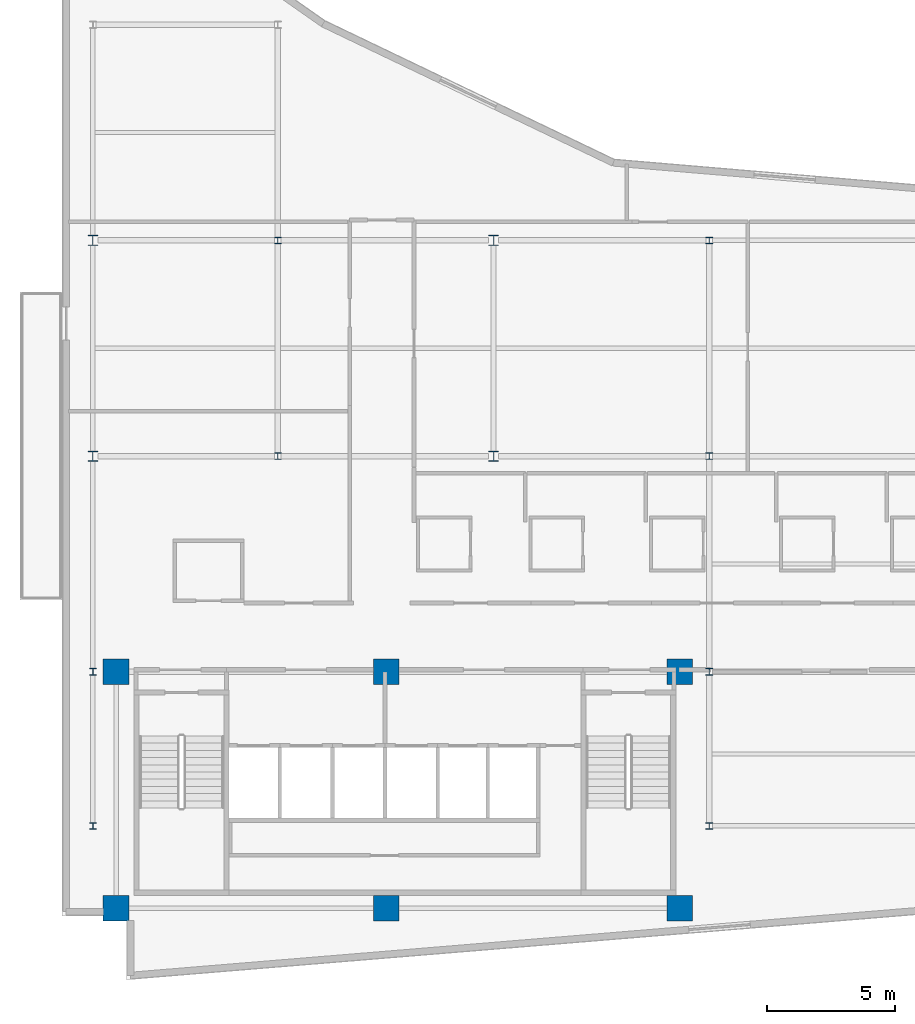
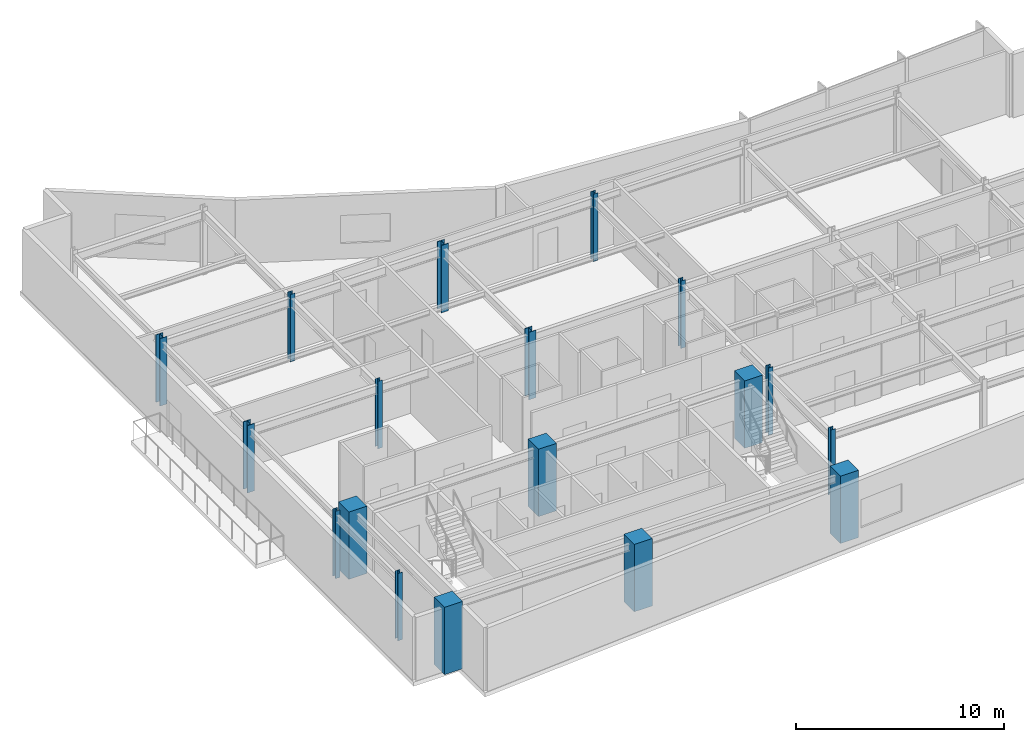
# One storey, part 1 of 17: 18 columns.
"""IFC4 building model written with IfcOpenShell, lengths in metres."""

from ifc_helpers import new_model, si_unit, direction, frame, origin, origin_2d, place, context, subcontext, project, spatial, rectangle, i_section, extrude, material, material_profile, profile_set, type_object, element, save


model = new_model("IFC4")

# Units and contexts
model_context = context("Model", 3, precision=1e-05, world=origin(), true_north=direction((0.0, 1.0)))
body_context = subcontext(model_context, "Body", "Model", "MODEL_VIEW")
ifc_project = project(units=[si_unit("LENGTHUNIT", "METRE"), si_unit("AREAUNIT", "SQUARE_METRE"), si_unit("VOLUMEUNIT", "CUBIC_METRE"), si_unit("PLANEANGLEUNIT", "RADIAN"), si_unit("MASSUNIT", "GRAM", prefix="KILO")], contexts=[model_context])

# Site, building, storey
site_placement = place(None, origin())
site = spatial("IfcSite", under=ifc_project, at=site_placement, CompositionType="ELEMENT")
building_placement = place(site_placement, origin())
building = spatial("IfcBuilding", under=site, at=building_placement, Name="Varnakote Quay Hospital", CompositionType="ELEMENT")
storey_placement = place(building_placement, frame((0.0, 0.0, 227.64990234375)))
storey = spatial("IfcBuildingStorey", under=building, at=storey_placement, Name="L56", CompositionType="ELEMENT", Elevation=227.64990234375)

# Columns
ifc_material_1 = material(Name="Concrete N65 (f'c 65 MPa)", Category="concrete")
ifc_material_profile_1 = material_profile(ifc_material_1, rectangle(XDim=1.0, YDim=1.0, at=origin_2d()), Name="RC-COL-1000x1000")
ifc_profile_set_1 = profile_set([ifc_material_profile_1], Name="Concrete N65 (f'c 65 MPa)")
column_type_1 = type_object("IfcColumnType", Name="COL-RC-1000", PredefinedType="COLUMN", material=ifc_profile_set_1)
for number, where, z_axis, x_axis, name in (
    (1, (2.10009765625, 2.800048828125, 0.0), (0.0, 0.0, 1.0), (1.0, 0.0, 0.0), "L56 Structural Column C-2-3"),
    (2, (12.6201171875, 2.800048828125, 0.0), (0.0, 0.0, 1.0), (1.0, 0.0, 0.0), "L56 Structural Column C-13-3"),
    (3, (24.050048828125, 2.800048828125, 0.0), (0.0, 0.0, 1.0), (1.0, 0.0, 0.0), "L56 Structural Column C-24-3"),
    (4, (2.10009765625, 12.0, 0.0), (0.0, 0.0, 1.0), (1.0, 0.0, 0.0), "L56 Structural Column C-2-12"),
    (5, (12.6201171875, 12.0, 0.0), (0.0, 0.0, 1.0), (1.0, 0.0, 0.0), "L56 Structural Column C-13-12"),
    (6, (24.050048828125, 12.0, 0.0), (0.0, 0.0, 1.0), (1.0, 0.0, 0.0), "L56 Structural Column C-24-12"),
):
    element("IfcColumn", number, at=place(storey_placement, frame(where, z_axis=z_axis, x_axis=x_axis)), inside=storey, type_object=column_type_1, Name=name, PredefinedType="COLUMN", context=body_context, shape_type="SweptSolid", body=[
        extrude(rectangle(XDim=1.0, YDim=1.0, at=origin_2d()), origin(), (0.0, 0.0, 1.0), 3.9501953125),
    ])
ifc_material_2 = material(Name="Structural steel AS/NZS 3679.1 Grade 350 L0 (fy 340 MPa)", Category="steel")
ifc_material_profile_2 = material_profile(ifc_material_2, i_section(OverallWidth=0.256103515625, OverallDepth=0.260009765625, WebThickness=0.010498046875, FlangeThickness=0.017333984375, FilletRadius=0.0126953125, at=origin_2d()), Name="250UC89.5")
ifc_profile_set_2 = profile_set([ifc_material_profile_2], Name="Structural steel AS/NZS 3679.1 Grade 350 L0 (fy 340 MPa)")
column_type_2 = type_object("IfcColumnType", Name="COL-STL-250UC89-5", PredefinedType="COLUMN", material=ifc_profile_set_2)
for number, where, z_axis, x_axis, name in (
    (7, (1.199951171875, 6.0, 0.0), (0.0, 0.0, 1.0), (1.0, 0.0, 0.0), "L56 Structural Column C-1-6"),
    (8, (25.199951171875, 6.0, 0.0), (0.0, 0.0, 1.0), (1.0, 0.0, 0.0), "L56 Structural Column C-25-6"),
    (9, (1.199951171875, 12.0, 0.0), (0.0, 0.0, 1.0), (1.0, 0.0, 0.0), "L56 Structural Column C-1-12"),
    (10, (25.199951171875, 12.0, 0.0), (0.0, 0.0, 1.0), (1.0, 0.0, 0.0), "L56 Structural Column C-25-12"),
    (11, (8.39990234375, 20.39990234375, 0.0), (0.0, 0.0, 1.0), (1.0, 0.0, 0.0), "L56 Structural Column C-8-20"),
    (12, (25.199951171875, 20.39990234375, 0.0), (0.0, 0.0, 1.0), (1.0, 0.0, 0.0), "L56 Structural Column C-25-20"),
    (13, (8.39990234375, 28.800048828125, 0.0), (0.0, 0.0, 1.0), (1.0, 0.0, 0.0), "L56 Structural Column C-8-29"),
    (14, (25.199951171875, 28.800048828125, 0.0), (0.0, 0.0, 1.0), (1.0, 0.0, 0.0), "L56 Structural Column C-25-29"),
):
    element("IfcColumn", number, at=place(storey_placement, frame(where, z_axis=z_axis, x_axis=x_axis)), inside=storey, type_object=column_type_2, Name=name, PredefinedType="COLUMN", context=body_context, shape_type="SweptSolid", body=[
        extrude(i_section(OverallWidth=0.256103515625, OverallDepth=0.260009765625, WebThickness=0.010498046875, FlangeThickness=0.017333984375, FilletRadius=0.0126953125, at=origin_2d()), origin(), (0.0, 0.0, 1.0), 3.9501953125),
    ])
ifc_material_3 = material(Name="Structural steel AS/NZS 3678 Grade 350 (fy 340 MPa)", Category="steel")
ifc_material_profile_3 = material_profile(ifc_material_3, i_section(OverallWidth=0.39990234375, OverallDepth=0.404052734375, WebThickness=0.02001953125, FlangeThickness=0.031982421875, at=origin_2d()), Name="400WC270")
ifc_profile_set_3 = profile_set([ifc_material_profile_3], Name="Structural steel AS/NZS 3678 Grade 350 (fy 340 MPa)")
column_type_3 = type_object("IfcColumnType", Name="COL-STL-400WC270", PredefinedType="COLUMN", material=ifc_profile_set_3)
for number, where, z_axis, x_axis, name in (
    (15, (1.199951171875, 20.39990234375, 0.0), (0.0, 0.0, 1.0), (1.0, 0.0, 0.0), "L56 Structural Column C-1-20"),
    (16, (16.800048828125, 20.39990234375, 0.0), (0.0, 0.0, 1.0), (1.0, 0.0, 0.0), "L56 Structural Column C-17-20"),
    (17, (1.199951171875, 28.800048828125, 0.0), (0.0, 0.0, 1.0), (1.0, 0.0, 0.0), "L56 Structural Column C-1-29"),
    (18, (16.800048828125, 28.800048828125, 0.0), (0.0, 0.0, 1.0), (1.0, 0.0, 0.0), "L56 Structural Column C-17-29"),
):
    element("IfcColumn", number, at=place(storey_placement, frame(where, z_axis=z_axis, x_axis=x_axis)), inside=storey, type_object=column_type_3, Name=name, PredefinedType="COLUMN", context=body_context, shape_type="SweptSolid", body=[
        extrude(i_section(OverallWidth=0.39990234375, OverallDepth=0.404052734375, WebThickness=0.02001953125, FlangeThickness=0.031982421875, at=origin_2d()), origin(), (0.0, 0.0, 1.0), 3.9501953125),
    ])

save(model, "model.ifc")
